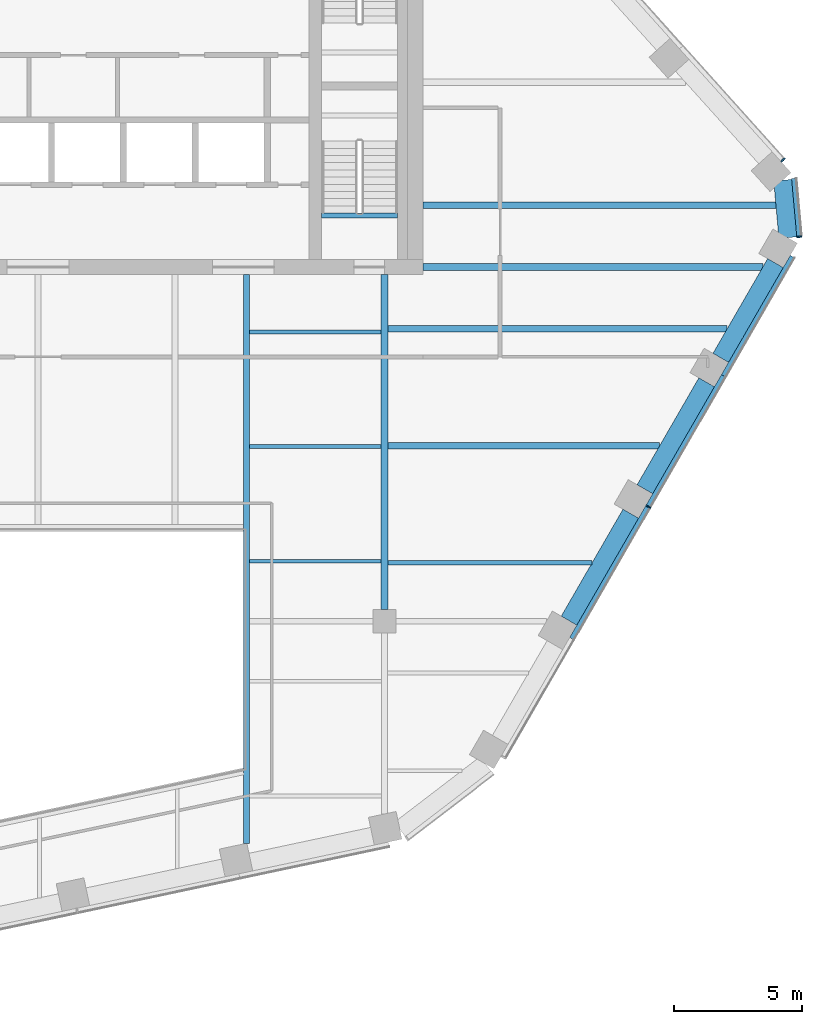
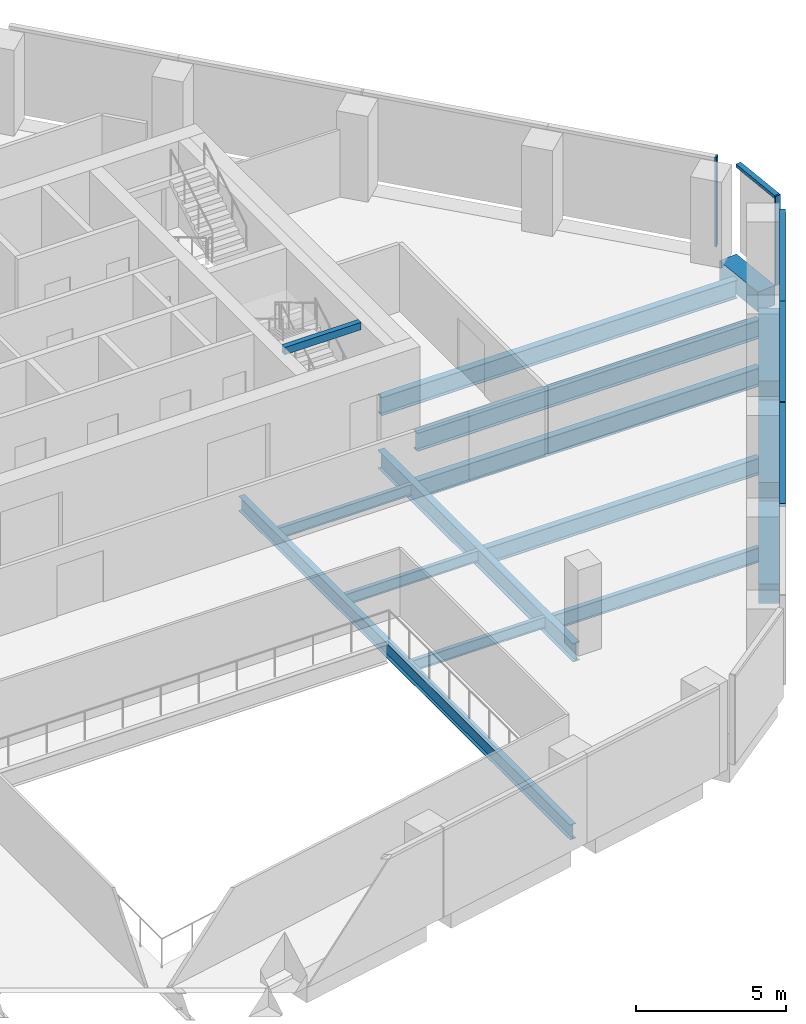
# One storey, part 5 of 15: 15 beams, 7 members, 3 elements without a shape of their own.
"""IFC4 building model written with IfcOpenShell, lengths in metres."""

from ifc_helpers import new_model, si_unit, direction, frame, origin, origin_2d, place, context, subcontext, project, spatial, rectangle, i_section, extrude, material, layer, layer_set, material_profile, profile_set, type_object, element, aggregate, save


model = new_model("IFC4")

# Units and contexts
model_context = context("Model", 3, precision=1e-05, world=origin(), true_north=direction((0.0, 1.0)))
body_context = subcontext(model_context, "Body", "Model", "MODEL_VIEW")
ifc_project = project(units=[si_unit("LENGTHUNIT", "METRE"), si_unit("AREAUNIT", "SQUARE_METRE"), si_unit("VOLUMEUNIT", "CUBIC_METRE"), si_unit("PLANEANGLEUNIT", "RADIAN"), si_unit("MASSUNIT", "GRAM", prefix="KILO")], contexts=[model_context])

# Site, building, storey
site_placement = place(None, origin())
site = spatial("IfcSite", under=ifc_project, at=site_placement, CompositionType="ELEMENT")
building_placement = place(site_placement, origin())
building = spatial("IfcBuilding", under=site, at=building_placement, Name="Isthmus Gate Tower", CompositionType="ELEMENT")
storey_placement = place(building_placement, frame((0.0, 0.0, 223.60009765625)))
storey = spatial("IfcBuildingStorey", under=building, at=storey_placement, Name="L56", CompositionType="ELEMENT", Elevation=223.60009765625)

# Curtain wall, member
ifc_material_1 = material(Name="Aluminium, pale champagne anodised", Category="aluminium")
ifc_layer = layer(ifc_material_1, 0.199951171875)
ifc_layer_set = layer_set([ifc_layer], Name="CW-1 UNITISED CURTAIN WALL 200 DEEP")
curtain_wall_type = type_object("IfcCurtainWallType", Name="CW-1 UNITISED CURTAIN WALL 200 DEEP", PredefinedType="NOTDEFINED", material=ifc_layer_set)
curtain_wall_1_placement = place(storey_placement, origin())
curtain_wall_1 = element("IfcCurtainWall", 1, at=curtain_wall_1_placement, inside=storey, type_object=curtain_wall_type, Name="CW-1 SE L56", PredefinedType="NOTDEFINED")
ifc_material_2 = material(Name="Aluminium, pale champagne anodised", Category="aluminium")
ifc_material_profile_1 = material_profile(ifc_material_2, rectangle(XDim=0.06005859375, YDim=0.199951171875, at=origin_2d()), Name="60x200")
ifc_profile_set_1 = profile_set([ifc_material_profile_1], Name="Aluminium, pale champagne anodised")
member_type_1 = type_object("IfcMemberType", Name="CW-1 MULLION 60 X 200", PredefinedType="MULLION", material=ifc_profile_set_1)
member_1_placement = place(storey_placement, frame((23.767333984375, -9.033935546875, 0.0), z_axis=(0.0, 0.0, 1.0), x_axis=(0.5, 0.866025403784, 0.0)))
member_1 = element("IfcMember", 2, at=member_1_placement, type_object=member_type_1, Name="CW-1 mullion", PredefinedType="MULLION", context=body_context, shape_type="SweptSolid", body=[
    extrude(rectangle(XDim=0.06005859375, YDim=0.199951171875, at=origin_2d()), origin(), (0.0, 0.0, 1.0), 3.64990234375),
])

curtain_wall_2_placement = place(storey_placement, origin())
curtain_wall_2 = element("IfcCurtainWall", 3, at=curtain_wall_2_placement, inside=storey, type_object=curtain_wall_type, Name="CW-1 SE-NE L56", PredefinedType="NOTDEFINED")
member_2_placement = place(storey_placement, frame((29.654296875, 1.4765625, 0.0), z_axis=(0.0, 0.0, 1.0), x_axis=(-0.089396669717, 0.995996102123, 0.0)))
member_2 = element("IfcMember", 4, at=member_2_placement, type_object=member_type_1, Name="CW-1 mullion", PredefinedType="MULLION", context=body_context, shape_type="SweptSolid", body=[
    extrude(rectangle(XDim=0.06005859375, YDim=0.199951171875, at=origin_2d()), origin(), (0.0, 0.0, 1.0), 3.64990234375),
])

curtain_wall_3_placement = place(storey_placement, origin())
curtain_wall_3 = element("IfcCurtainWall", 5, at=curtain_wall_3_placement, inside=storey, type_object=curtain_wall_type, Name="CW-1 NE L56", PredefinedType="NOTDEFINED")
member_3_placement = place(storey_placement, frame((29.016357421875, 4.46923828125, 0.0), z_axis=(0.0, 0.0, 1.0), x_axis=(-0.669130606359, 0.743144825477, 0.0)))
member_3 = element("IfcMember", 6, at=member_3_placement, type_object=member_type_1, Name="CW-1 mullion", PredefinedType="MULLION", context=body_context, shape_type="SweptSolid", body=[
    extrude(rectangle(XDim=0.06005859375, YDim=0.199951171875, at=origin_2d()), origin(), (0.0, 0.0, 1.0), 3.64990234375),
])
aggregate(curtain_wall_3, [member_3])

# Member
ifc_material_3 = material(Name="Aluminium, pale champagne anodised", Category="aluminium")
ifc_material_profile_2 = material_profile(ifc_material_3, rectangle(XDim=0.199951171875, YDim=0.1298828125, at=origin_2d()), Name="200x130")
ifc_profile_set_2 = profile_set([ifc_material_profile_2], Name="Aluminium, pale champagne anodised")
member_type_2 = type_object("IfcMemberType", Name="CW-1 TRANSOM 200 X 130", PredefinedType="USERDEFINED", material=ifc_profile_set_2)
member_4_placement = place(storey_placement, frame((20.796875, -14.178466796875, 3.5849609375), z_axis=(0.500008496284, 0.866020498397, 0.0), x_axis=(-0.866020498397, 0.500008496284, 0.0)))
member_4 = element("IfcMember", 7, at=member_4_placement, type_object=member_type_2, Name="CW-1 transom", ObjectType="TRANSOM", PredefinedType="USERDEFINED", context=body_context, shape_type="SweptSolid", body=[
    extrude(rectangle(XDim=0.199951171875, YDim=0.1298828125, at=origin_2d()), origin(), (0.0, 0.0, 1.0), 5.91064453125),
])

member_5_placement = place(storey_placement, frame((23.7822265625, -9.0078125, 3.5849609375), z_axis=(0.500007820066, 0.86602088882, 0.0), x_axis=(-0.86602088882, 0.500007820066, 0.0)))
member_5 = element("IfcMember", 8, at=member_5_placement, type_object=member_type_2, Name="CW-1 transom", ObjectType="TRANSOM", PredefinedType="USERDEFINED", context=body_context, shape_type="SweptSolid", body=[
    extrude(rectangle(XDim=0.199951171875, YDim=0.1298828125, at=origin_2d()), origin(), (0.0, 0.0, 1.0), 5.8505859375),
])

member_6_placement = place(storey_placement, frame((26.70751953125, -3.941162109375, 3.5849609375), z_axis=(0.50002338526, 0.866011901877, 0.0), x_axis=(-0.866011901877, 0.50002338526, 0.0)))
member_6 = element("IfcMember", 9, at=member_6_placement, type_object=member_type_2, Name="CW-1 transom", ObjectType="TRANSOM", PredefinedType="USERDEFINED", context=body_context, shape_type="SweptSolid", body=[
    extrude(rectangle(XDim=0.199951171875, YDim=0.1298828125, at=origin_2d()), origin(), (0.0, 0.0, 1.0), 5.360595703125),
])

aggregate(curtain_wall_1, [member_4, member_1, member_5, member_6])

member_7_placement = place(storey_placement, frame((29.651611328125, 1.506591796875, 3.5849609375), z_axis=(-0.089395362867, 0.995996219419, 0.0), x_axis=(-0.995996219419, -0.089395362867, 0.0)))
member_7 = element("IfcMember", 10, at=member_7_placement, type_object=member_type_2, Name="CW-1 transom", ObjectType="TRANSOM", PredefinedType="USERDEFINED", context=body_context, shape_type="SweptSolid", body=[
    extrude(rectangle(XDim=0.199951171875, YDim=0.1298828125, at=origin_2d()), origin(), (0.0, 0.0, 1.0), 2.258544921875),
])

aggregate(curtain_wall_2, [member_2, member_7])

# Beams
ifc_material_4 = material(Name="Concrete f'c 50 MPa", Category="concrete")
ifc_material_profile_3 = material_profile(ifc_material_4, rectangle(XDim=0.699951171875, YDim=0.800048828125, at=origin_2d()), Name="RC 700X800")
ifc_profile_set_3 = profile_set([ifc_material_profile_3], Name="Concrete f'c 50 MPa")
beam_type_1 = type_object("IfcBeamType", Name="RC SPANDREL 700 X 800", PredefinedType="SPANDREL", material=ifc_profile_set_3)
beam_1_placement = place(storey_placement, frame((29.0048828125, 3.678466796875, -0.400146484375), z_axis=(0.089359478208, -0.995999439585, 0.0), x_axis=(0.995999439585, 0.089359478208, 0.0)))
element("IfcBeam", 11, at=beam_1_placement, inside=storey, type_object=beam_type_1, Name="str-spandrel-L56-05", PredefinedType="SPANDREL", context=body_context, shape_type="SweptSolid", body=[
    extrude(rectangle(XDim=0.699951171875, YDim=0.800048828125, at=origin_2d()), origin(), (0.0, 0.0, 1.0), 2.245849609375),
])
beam_2_placement = place(storey_placement, frame((28.72314453125, 0.449951171875, -0.400146484375), z_axis=(-0.500021719575, -0.866012863619, 0.0), x_axis=(0.866012863619, -0.500021719575, 0.0)))
element("IfcBeam", 12, at=beam_2_placement, inside=storey, type_object=beam_type_1, Name="str-spandrel-L56-06", PredefinedType="SPANDREL", context=body_context, shape_type="SweptSolid", body=[
    extrude(rectangle(XDim=0.699951171875, YDim=0.800048828125, at=origin_2d()), origin(), (0.0, 0.0, 1.0), 4.260498046875),
])
for number, where, z_axis, x_axis, name in (
    (13, (26.04296875, -4.1923828125, -0.400146484375), (-0.500019702373, -0.866014028315, 0.0), (0.866014028315, -0.500019702373, 0.0), "str-spandrel-L56-07"),
    (14, (23.087646484375, -9.31103515625, -0.400146484375), (-0.49998164095, -0.866036003127, 0.0), (0.866036003127, -0.49998164095, 0.0), "str-spandrel-L56-08"),
):
    element("IfcBeam", number, at=place(storey_placement, frame(where, z_axis=z_axis, x_axis=x_axis)), inside=storey, type_object=beam_type_1, Name=name, PredefinedType="SPANDREL", context=body_context, shape_type="SweptSolid", body=[
        extrude(rectangle(XDim=0.699951171875, YDim=0.800048828125, at=origin_2d()), origin(), (0.0, 0.0, 1.0), 4.810791015625),
    ])
ifc_material_5 = material(Name="Concrete f'c 40 MPa", Category="concrete")
ifc_material_profile_4 = material_profile(ifc_material_5, rectangle(XDim=0.199951171875, YDim=0.300048828125, at=origin_2d()), Name="STAIR LANDING BEAM RC 200 X 300")
ifc_profile_set_4 = profile_set([ifc_material_profile_4], Name="Concrete f'c 40 MPa")
beam_type_2 = type_object("IfcBeamType", Name="STAIR LANDING BEAM RC 200 X 300", PredefinedType="BEAM", material=ifc_profile_set_4)
beam_3_placement = place(storey_placement, frame((11.050048828125, 2.2998046875, 3.349853515625), z_axis=(1.0, 0.0, 0.0), x_axis=(0.0, 1.0, 0.0)))
element("IfcBeam", 15, at=beam_3_placement, inside=storey, type_object=beam_type_2, Name="L56 ST8 floor-edge seat beam", PredefinedType="BEAM", context=body_context, shape_type="SweptSolid", body=[
    extrude(rectangle(XDim=0.199951171875, YDim=0.300048828125, at=origin_2d()), origin(), (0.0, 0.0, 1.0), 2.949951171875),
])
ifc_material_6 = material(Name="Structural steel ASTM A992 Gr 50", Category="steel")
ifc_material_profile_5 = material_profile(ifc_material_6, i_section(OverallWidth=0.15234375, OverallDepth=0.45068359375, WebThickness=0.0078125, FlangeThickness=0.010986328125, at=origin_2d()), Name="W18X35")
ifc_profile_set_5 = profile_set([ifc_material_profile_5], Name="Structural steel ASTM A992 Gr 50")
beam_type_3 = type_object("IfcBeamType", Name="STEEL FLOOR BEAM W18X35", PredefinedType="JOIST", material=ifc_profile_set_5)
for number, where, z_axis, x_axis, name in (
    (16, (8.228515625, -11.16259765625, -0.37548828125), (1.0, 0.0, 0.0), (0.0, 1.0, 0.0), "str-beam-L56-10-00"),
    (17, (8.228515625, -6.697509765625, -0.37548828125), (1.0, 0.0, 0.0), (0.0, 1.0, 0.0), "str-beam-L56-10-01"),
    (18, (8.228515625, -2.232421875, -0.37548828125), (1.0, 0.0, 0.0), (0.0, 1.0, 0.0), "str-beam-L56-10-02"),
):
    element("IfcBeam", number, at=place(storey_placement, frame(where, z_axis=z_axis, x_axis=x_axis)), inside=storey, type_object=beam_type_3, Name=name, PredefinedType="JOIST", context=body_context, shape_type="SweptSolid", body=[
        extrude(i_section(OverallWidth=0.15234375, OverallDepth=0.45068359375, WebThickness=0.0078125, FlangeThickness=0.010986328125, at=origin_2d()), origin(), (0.0, 0.0, 1.0), 5.1396484375),
    ])
ifc_material_7 = material(Name="Structural steel ASTM A992 Gr 50", Category="steel")
ifc_material_profile_6 = material_profile(ifc_material_7, i_section(OverallWidth=0.177734375, OverallDepth=0.60009765625, WebThickness=0.009521484375, FlangeThickness=0.0126953125, at=origin_2d()), Name="W24X55")
ifc_profile_set_6 = profile_set([ifc_material_profile_6], Name="Structural steel ASTM A992 Gr 50")
beam_type_4 = type_object("IfcBeamType", Name="STEEL FLOOR BEAM W24X55", PredefinedType="JOIST", material=ifc_profile_set_6)
beam_4_placement = place(storey_placement, frame((13.6318359375, -11.221923828125, -0.4501953125), z_axis=(1.0, 0.0, 0.0), x_axis=(0.0, 1.0, 0.0)))
element("IfcBeam", 19, at=beam_4_placement, inside=storey, type_object=beam_type_4, Name="str-beam-L56-12-00", PredefinedType="JOIST", context=body_context, shape_type="SweptSolid", body=[
    extrude(i_section(OverallWidth=0.177734375, OverallDepth=0.60009765625, WebThickness=0.009521484375, FlangeThickness=0.0126953125, at=origin_2d()), origin(), (0.0, 0.0, 1.0), 7.948486328125),
])
ifc_material_8 = material(Name="Structural steel ASTM A992 Gr 50", Category="steel")
ifc_material_profile_7 = material_profile(ifc_material_8, i_section(OverallWidth=0.25390625, OverallDepth=0.679443359375, WebThickness=0.010986328125, FlangeThickness=0.015869140625, at=origin_2d()), Name="W27X84")
ifc_profile_set_7 = profile_set([ifc_material_profile_7], Name="Structural steel ASTM A992 Gr 50")
beam_type_5 = type_object("IfcBeamType", Name="STEEL FLOOR BEAM W27X84", PredefinedType="JOIST", material=ifc_profile_set_7)
beam_5_placement = place(storey_placement, frame((13.6318359375, -6.665771484375, -0.48974609375), z_axis=(1.0, 0.0, 0.0), x_axis=(0.0, 1.0, 0.0)))
element("IfcBeam", 20, at=beam_5_placement, inside=storey, type_object=beam_type_5, Name="str-beam-L56-12-01", PredefinedType="JOIST", context=body_context, shape_type="SweptSolid", body=[
    extrude(i_section(OverallWidth=0.25390625, OverallDepth=0.679443359375, WebThickness=0.010986328125, FlangeThickness=0.015869140625, at=origin_2d()), origin(), (0.0, 0.0, 1.0), 10.578857421875),
])
ifc_material_9 = material(Name="Structural steel ASTM A992 Gr 50", Category="steel")
ifc_material_profile_8 = material_profile(ifc_material_9, i_section(OverallWidth=0.263427734375, OverallDepth=0.749267578125, WebThickness=0.0126953125, FlangeThickness=0.015869140625, at=origin_2d()), Name="W30X90")
ifc_profile_set_8 = profile_set([ifc_material_profile_8], Name="Structural steel ASTM A992 Gr 50")
beam_type_6 = type_object("IfcBeamType", Name="STEEL FLOOR BEAM W30X90", PredefinedType="JOIST", material=ifc_profile_set_8)
beam_6_placement = place(storey_placement, frame((13.6318359375, -2.10986328125, -0.524658203125), z_axis=(1.0, 0.0, 0.0), x_axis=(0.0, 1.0, 0.0)))
element("IfcBeam", 21, at=beam_6_placement, inside=storey, type_object=beam_type_6, Name="str-beam-L56-12-02", PredefinedType="JOIST", context=body_context, shape_type="SweptSolid", body=[
    extrude(i_section(OverallWidth=0.263427734375, OverallDepth=0.749267578125, WebThickness=0.0126953125, FlangeThickness=0.015869140625, at=origin_2d()), origin(), (0.0, 0.0, 1.0), 13.209228515625),
])
beam_7_placement = place(storey_placement, frame((15.0, 2.699951171875, -0.524658203125), z_axis=(1.0, 0.0, 0.0), x_axis=(0.0, 1.0, 0.0)))
element("IfcBeam", 22, at=beam_7_placement, inside=storey, type_object=beam_type_6, Name="str-beam-L56-13-00", PredefinedType="JOIST", context=body_context, shape_type="SweptSolid", body=[
    extrude(i_section(OverallWidth=0.263427734375, OverallDepth=0.749267578125, WebThickness=0.0126953125, FlangeThickness=0.015869140625, at=origin_2d()), origin(), (0.0, 0.0, 1.0), 13.7412109375),
])
ifc_material_10 = material(Name="Structural steel ASTM A992 Gr 50", Category="steel")
ifc_material_profile_9 = material_profile(ifc_material_10, i_section(OverallWidth=0.263427734375, OverallDepth=0.749267578125, WebThickness=0.0126953125, FlangeThickness=0.015869140625, at=origin_2d()), Name="W30X90")
ifc_profile_set_9 = profile_set([ifc_material_profile_9], Name="Structural steel ASTM A992 Gr 50")
beam_type_7 = type_object("IfcBeamType", Name="STEEL GIRDER W30X90", PredefinedType="BEAM", material=ifc_profile_set_9)
beam_8_placement = place(storey_placement, frame((13.5, -13.050048828125, -0.524658203125), z_axis=(0.0, 1.0, 0.0), x_axis=(-1.0, 0.0, 0.0)))
element("IfcBeam", 23, at=beam_8_placement, inside=storey, type_object=beam_type_7, Name="str-girder-L56-08", PredefinedType="BEAM", context=body_context, shape_type="SweptSolid", body=[
    extrude(i_section(OverallWidth=0.263427734375, OverallDepth=0.749267578125, WebThickness=0.0126953125, FlangeThickness=0.015869140625, at=origin_2d()), origin(), (0.0, 0.0, 1.0), 13.050048828125),
])
beam_9_placement = place(storey_placement, frame((15.0, 0.300048828125, -0.524658203125), z_axis=(1.0, 0.0, 0.0), x_axis=(0.0, 1.0, 0.0)))
element("IfcBeam", 24, at=beam_9_placement, inside=storey, type_object=beam_type_7, Name="str-girder-L56-10", PredefinedType="BEAM", context=body_context, shape_type="SweptSolid", body=[
    extrude(i_section(OverallWidth=0.263427734375, OverallDepth=0.749267578125, WebThickness=0.0126953125, FlangeThickness=0.015869140625, at=origin_2d()), origin(), (0.0, 0.0, 1.0), 13.232421875),
])
ifc_material_11 = material(Name="Structural steel ASTM A992 Gr 50", Category="steel")
ifc_material_profile_10 = material_profile(ifc_material_11, i_section(OverallWidth=0.228515625, OverallDepth=0.6064453125, WebThickness=0.010986328125, FlangeThickness=0.017578125, at=origin_2d()), Name="W24X76")
ifc_profile_set_10 = profile_set([ifc_material_profile_10], Name="Structural steel ASTM A992 Gr 50")
beam_type_8 = type_object("IfcBeamType", Name="STEEL TRIMMER W24X76", PredefinedType="BEAM", material=ifc_profile_set_10)
beam_10_placement = place(storey_placement, frame((8.1142578125, -22.150634765625, -0.453369140625), z_axis=(0.0, 1.0, 0.0), x_axis=(-1.0, 0.0, 0.0)))
element("IfcBeam", 25, at=beam_10_placement, inside=storey, type_object=beam_type_8, Name="str-trimmer-L56-01", PredefinedType="BEAM", context=body_context, shape_type="SweptSolid", body=[
    extrude(i_section(OverallWidth=0.228515625, OverallDepth=0.6064453125, WebThickness=0.010986328125, FlangeThickness=0.017578125, at=origin_2d()), origin(), (0.0, 0.0, 1.0), 22.150634765625),
])

save(model, "model.ifc")
